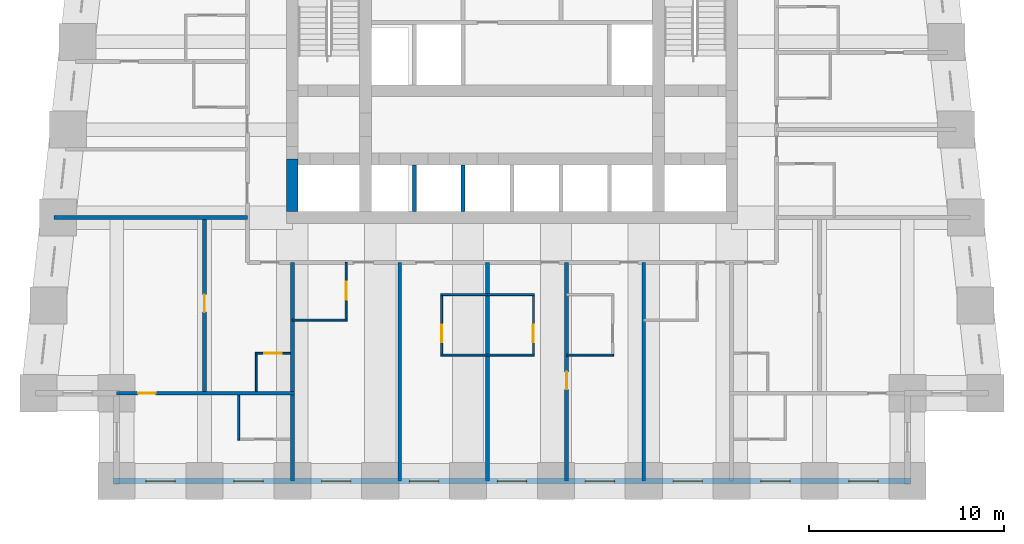
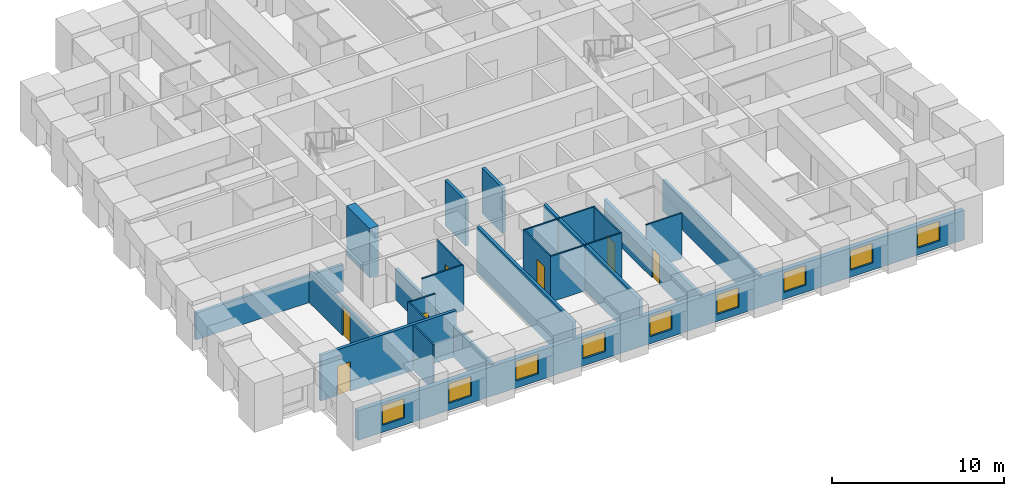
# One storey, part 2 of 8: 24 walls, 9 windows, 7 doors, 16 openings.
"""IFC4 building model written with IfcOpenShell, lengths in metres."""

from ifc_helpers import new_model, si_unit, direction, frame, frame_2d, origin, place, context, subcontext, project, spatial, rectangle, extrude, material, layer, layer_set, type_object, element, fill, save


model = new_model("IFC4")

# Units and contexts
model_context = context("Model", 3, precision=1e-05, world=origin(), true_north=direction((0.0, 1.0)))
body_context = subcontext(model_context, "Body", "Model", "MODEL_VIEW")
ifc_project = project(units=[si_unit("LENGTHUNIT", "METRE"), si_unit("AREAUNIT", "SQUARE_METRE"), si_unit("VOLUMEUNIT", "CUBIC_METRE"), si_unit("PLANEANGLEUNIT", "RADIAN"), si_unit("MASSUNIT", "GRAM", prefix="KILO")], contexts=[model_context])

# Site, building, storey
site_placement = place(None, origin())
site = spatial("IfcSite", under=ifc_project, at=site_placement, CompositionType="ELEMENT")
building_placement = place(site_placement, origin())
building = spatial("IfcBuilding", under=site, at=building_placement, Name="Kilele Tower Hotel", CompositionType="ELEMENT")
storey_placement = place(building_placement, frame((0.0, 0.0, 82.199951171875)))
storey = spatial("IfcBuildingStorey", under=building, at=storey_placement, Name="L20", CompositionType="ELEMENT", Elevation=82.199951171875)

# Wall
ifc_material_1 = material(Name="Moisture-resistant board")
ifc_layer_1 = layer(ifc_material_1, 0.10009765625)
ifc_layer_set_1 = layer_set([ifc_layer_1], Name="Moisture-resistant board")
wall_type_1 = type_object("IfcWallType", Name="Bathroom partition 100", PredefinedType="PLUMBINGWALL", material=ifc_layer_set_1)
wall_1_placement = place(storey_placement, frame((13.5, 8.25, 0.0), z_axis=(0.0, 0.0, 1.0), x_axis=(1.0, 0.0, 0.0)))
element("IfcWall", 1, at=wall_1_placement, inside=storey, type_object=wall_type_1, Name="Bathroom partition 100 L20", PredefinedType="PLUMBINGWALL", context=body_context, shape_type="SweptSolid", body=[
    extrude(rectangle(XDim=2.800048828125, YDim=0.10009765625, at=frame_2d((1.39990234375, 0.0))), origin(), (0.0, 0.0, 1.0), 3.25),
])

# Wall, opening, door
wall_2_placement = place(storey_placement, frame((16.25, 11.199951171875, 0.0), z_axis=(0.0, 0.0, 1.0), x_axis=(0.0, -1.0, 0.0)))
wall_2 = element("IfcWall", 2, at=wall_2_placement, inside=storey, type_object=wall_type_1, Name="Bathroom partition 100 L20", PredefinedType="PLUMBINGWALL", context=body_context, shape_type="SweptSolid", body=[
    extrude(rectangle(XDim=3.0, YDim=0.10009765625, at=frame_2d((1.5, 0.0))), origin(), (0.0, 0.0, 1.0), 3.25),
])
opening_1_placement = place(wall_2_placement, frame((1.0, 0.0, 0.0)))
opening_1 = element("IfcOpeningElement", 3, at=opening_1_placement, cuts=wall_2, Name="Opening D2A", PredefinedType="OPENING", context=body_context, shape_type="SweptSolid", body=[
    extrude(rectangle(XDim=0.89990234375, YDim=2.10009765625, at=frame_2d((0.449951171875, 1.050048828125))), frame((0.0, 0.06005859375, 0.0), z_axis=(0.0, -1.0, 0.0), x_axis=(1.0, 0.0, 0.0)), (0.0, 0.0, 1.0), 0.1201171875),
])
ifc_material_2 = material(Name="Timber door leaf in hardwood frame", Category="wood")
door_type_1 = type_object("IfcDoorType", Name="Bathroom door 900", OperationType="SINGLE_SWING_LEFT", PredefinedType="DOOR", material=ifc_material_2)
door_1_placement = place(opening_1_placement, origin())
door_1 = element("IfcDoor", 4, at=door_1_placement, inside=storey, type_object=door_type_1, Name="Bathroom door 2001B", OperationType="SINGLE_SWING_LEFT", OverallHeight=2.10009765625, OverallWidth=0.89990234375, PredefinedType="DOOR", context=body_context, shape_type="SweptSolid", body=[
    extrude(rectangle(XDim=0.89990234375, YDim=2.10009765625, at=frame_2d((0.449951171875, 1.050048828125))), frame((0.0, 0.02490234375, 0.0), z_axis=(0.0, -1.0, 0.0), x_axis=(1.0, 0.0, 0.0)), (0.0, 0.0, 1.0), 0.050048828125),
])
fill(opening_1, door_1)

# Walls
for number, where, z_axis, x_axis, name in (
    (5, (21.10009765625, 9.550048828125, 0.0), (0.0, 0.0, 1.0), (1.0, 0.0, 0.0), "Bathroom partition 100 L20"),
    (6, (21.10009765625, 6.449951171875, 0.0), (0.0, 0.0, 1.0), (1.0, 0.0, 0.0), "Bathroom partition 100 L20"),
):
    element("IfcWall", number, at=place(storey_placement, frame(where, z_axis=z_axis, x_axis=x_axis)), inside=storey, type_object=wall_type_1, Name=name, PredefinedType="PLUMBINGWALL", context=body_context, shape_type="SweptSolid", body=[
        extrude(rectangle(XDim=2.39990234375, YDim=0.10009765625, at=frame_2d((1.199951171875, 0.0))), origin(), (0.0, 0.0, 1.0), 3.25),
    ])

# Wall, opening, door
wall_3_placement = place(storey_placement, frame((21.14990234375, 9.60009765625, 0.0), z_axis=(0.0, 0.0, 1.0), x_axis=(0.0, -1.0, 0.0)))
wall_3 = element("IfcWall", 7, at=wall_3_placement, inside=storey, type_object=wall_type_1, Name="Bathroom partition 100 L20", PredefinedType="PLUMBINGWALL", context=body_context, shape_type="SweptSolid", body=[
    extrude(rectangle(XDim=3.2001953125, YDim=0.10009765625, at=frame_2d((1.60009765625, 0.0))), origin(), (0.0, 0.0, 1.0), 3.25),
])
opening_2_placement = place(wall_3_placement, frame((2.5, 0.0, 0.0), z_axis=(0.0, 0.0, 1.0), x_axis=(-1.0, 0.0, 0.0)))
opening_2 = element("IfcOpeningElement", 8, at=opening_2_placement, cuts=wall_3, Name="Opening D2A", PredefinedType="OPENING", context=body_context, shape_type="SweptSolid", body=[
    extrude(rectangle(XDim=0.89990234375, YDim=2.10009765625, at=frame_2d((0.449951171875, 1.050048828125))), frame((0.0, 0.06005859375, 0.0), z_axis=(0.0, -1.0, 0.0), x_axis=(1.0, 0.0, 0.0)), (0.0, 0.0, 1.0), 0.1201171875),
])
door_2_placement = place(opening_2_placement, origin())
door_2 = element("IfcDoor", 9, at=door_2_placement, inside=storey, type_object=door_type_1, Name="Bathroom door 2002B", OperationType="SINGLE_SWING_LEFT", OverallHeight=2.10009765625, OverallWidth=0.89990234375, PredefinedType="DOOR", context=body_context, shape_type="SweptSolid", body=[
    extrude(rectangle(XDim=0.89990234375, YDim=2.10009765625, at=frame_2d((0.449951171875, 1.050048828125))), frame((0.0, 0.02490234375, 0.0), z_axis=(0.0, -1.0, 0.0), x_axis=(1.0, 0.0, 0.0)), (0.0, 0.0, 1.0), 0.050048828125),
])
fill(opening_2, door_2)

# Walls
for number, where, z_axis, x_axis, name in (
    (10, (23.5, 9.550048828125, 0.0), (0.0, 0.0, 1.0), (1.0, 0.0, 0.0), "Bathroom partition 100 L20"),
    (11, (23.5, 6.449951171875, 0.0), (0.0, 0.0, 1.0), (1.0, 0.0, 0.0), "Bathroom partition 100 L20"),
):
    element("IfcWall", number, at=place(storey_placement, frame(where, z_axis=z_axis, x_axis=x_axis)), inside=storey, type_object=wall_type_1, Name=name, PredefinedType="PLUMBINGWALL", context=body_context, shape_type="SweptSolid", body=[
        extrude(rectangle(XDim=2.39990234375, YDim=0.10009765625, at=frame_2d((1.199951171875, 0.0))), origin(), (0.0, 0.0, 1.0), 3.25),
    ])

# Wall, opening, door
wall_4_placement = place(storey_placement, frame((25.85009765625, 9.60009765625, 0.0), z_axis=(0.0, 0.0, 1.0), x_axis=(0.0, -1.0, 0.0)))
wall_4 = element("IfcWall", 12, at=wall_4_placement, inside=storey, type_object=wall_type_1, Name="Bathroom partition 100 L20", PredefinedType="PLUMBINGWALL", context=body_context, shape_type="SweptSolid", body=[
    extrude(rectangle(XDim=3.2001953125, YDim=0.10009765625, at=frame_2d((1.60009765625, 0.0))), origin(), (0.0, 0.0, 1.0), 3.25),
])
opening_3_placement = place(wall_4_placement, frame((1.60009765625, 0.0, 0.0)))
opening_3 = element("IfcOpeningElement", 13, at=opening_3_placement, cuts=wall_4, Name="Opening D2A", PredefinedType="OPENING", context=body_context, shape_type="SweptSolid", body=[
    extrude(rectangle(XDim=0.89990234375, YDim=2.10009765625, at=frame_2d((0.449951171875, 1.050048828125))), frame((0.0, 0.06005859375, 0.0), z_axis=(0.0, -1.0, 0.0), x_axis=(1.0, 0.0, 0.0)), (0.0, 0.0, 1.0), 0.1201171875),
])
door_3_placement = place(opening_3_placement, origin())
door_3 = element("IfcDoor", 14, at=door_3_placement, inside=storey, type_object=door_type_1, Name="Bathroom door 2003B", OperationType="SINGLE_SWING_RIGHT", OverallHeight=2.10009765625, OverallWidth=0.89990234375, PredefinedType="DOOR", context=body_context, shape_type="SweptSolid", body=[
    extrude(rectangle(XDim=0.89990234375, YDim=2.10009765625, at=frame_2d((0.449951171875, 1.050048828125))), frame((0.0, 0.02490234375, 0.0), z_axis=(0.0, -1.0, 0.0), x_axis=(1.0, 0.0, 0.0)), (0.0, 0.0, 1.0), 0.050048828125),
])
fill(opening_3, door_3)

# Walls
wall_5_placement = place(storey_placement, frame((27.550048828125, 6.449951171875, 0.0), z_axis=(0.0, 0.0, 1.0), x_axis=(1.0, 0.0, 0.0)))
element("IfcWall", 15, at=wall_5_placement, inside=storey, type_object=wall_type_1, Name="Bathroom partition 100 L20", PredefinedType="PLUMBINGWALL", context=body_context, shape_type="SweptSolid", body=[
    extrude(rectangle(XDim=2.39990234375, YDim=0.10009765625, at=frame_2d((1.199951171875, 0.0))), origin(), (0.0, 0.0, 1.0), 3.25),
])
wall_6_placement = place(storey_placement, frame((11.64990234375, 4.60009765625, 0.0), z_axis=(0.0, 0.0, 1.0), x_axis=(0.0, 1.0, 0.0)))
element("IfcWall", 16, at=wall_6_placement, inside=storey, type_object=wall_type_1, Name="Bathroom partition 100 L20", PredefinedType="PLUMBINGWALL", context=body_context, shape_type="SweptSolid", body=[
    extrude(rectangle(XDim=2.0, YDim=0.10009765625, at=frame_2d((1.0, 0.0))), origin(), (0.0, 0.0, 1.0), 3.25),
])

# Wall, opening, door
wall_7_placement = place(storey_placement, frame((13.39990234375, 6.550048828125, 0.0), z_axis=(0.0, 0.0, 1.0), x_axis=(-1.0, 0.0, 0.0)))
wall_7 = element("IfcWall", 17, at=wall_7_placement, inside=storey, type_object=wall_type_1, Name="Bathroom partition 100 L20", PredefinedType="PLUMBINGWALL", context=body_context, shape_type="SweptSolid", body=[
    extrude(rectangle(XDim=1.7998046875, YDim=0.10009765625, at=frame_2d((0.89990234375, 0.0))), origin(), (0.0, 0.0, 1.0), 3.25),
])
opening_4_placement = place(wall_7_placement, frame((1.349853515625, 0.0, 0.0), z_axis=(0.0, 0.0, 1.0), x_axis=(-1.0, 0.0, 0.0)))
opening_4 = element("IfcOpeningElement", 18, at=opening_4_placement, cuts=wall_7, Name="Opening D2A", PredefinedType="OPENING", context=body_context, shape_type="SweptSolid", body=[
    extrude(rectangle(XDim=0.89990234375, YDim=2.10009765625, at=frame_2d((0.449951171875, 1.050048828125))), frame((0.0, 0.06005859375, 0.0), z_axis=(0.0, -1.0, 0.0), x_axis=(1.0, 0.0, 0.0)), (0.0, 0.0, 1.0), 0.1201171875),
])
door_4_placement = place(opening_4_placement, origin())
door_4 = element("IfcDoor", 19, at=door_4_placement, inside=storey, type_object=door_type_1, Name="Bathroom door 2017P", OperationType="SINGLE_SWING_RIGHT", OverallHeight=2.10009765625, OverallWidth=0.89990234375, PredefinedType="DOOR", context=body_context, shape_type="SweptSolid", body=[
    extrude(rectangle(XDim=0.89990234375, YDim=2.10009765625, at=frame_2d((0.449951171875, 1.050048828125))), frame((0.0, 0.02490234375, 0.0), z_axis=(0.0, -1.0, 0.0), x_axis=(1.0, 0.0, 0.0)), (0.0, 0.0, 1.0), 0.050048828125),
])
fill(opening_4, door_4)

# Walls
wall_8_placement = place(storey_placement, frame((10.75, 4.39990234375, 0.0), z_axis=(0.0, 0.0, 1.0), x_axis=(0.0, -1.0, 0.0)))
element("IfcWall", 20, at=wall_8_placement, inside=storey, type_object=wall_type_1, Name="Bathroom partition 100 L20", PredefinedType="PLUMBINGWALL", context=body_context, shape_type="SweptSolid", body=[
    extrude(rectangle(XDim=2.2998046875, YDim=0.10009765625, at=frame_2d((1.14990234375, 0.0))), origin(), (0.0, 0.0, 1.0), 3.25),
])
ifc_material_3 = material(Name="Concrete C60/75", Category="concrete")
ifc_layer_2 = layer(ifc_material_3, 0.60009765625)
ifc_layer_set_2 = layer_set([ifc_layer_2], Name="Concrete C60/75")
wall_type_2 = type_object("IfcWallType", Name="Core wall 600 C60/75", PredefinedType="SHEAR", material=ifc_layer_set_2)
wall_9_placement = place(storey_placement, frame((13.5, 16.5, 0.0), z_axis=(0.0, 0.0, 1.0), x_axis=(0.0, -1.0, 0.0)))
element("IfcWall", 21, at=wall_9_placement, inside=storey, type_object=wall_type_2, Name="Core wall W3 L20", PredefinedType="SHEAR", context=body_context, shape_type="SweptSolid", body=[
    extrude(rectangle(XDim=2.699951171875, YDim=0.60009765625, at=frame_2d((1.35009765625, 0.0))), origin(), (0.0, 0.0, 1.0), 3.5),
])

# Wall, opening, door
ifc_material_4 = material(Name="Blockwork, plastered both sides", Category="masonry")
ifc_layer_3 = layer(ifc_material_4, 0.199951171875)
ifc_layer_set_3 = layer_set([ifc_layer_3], Name="Blockwork, plastered both sides")
wall_type_3 = type_object("IfcWallType", Name="Partition wall 200", PredefinedType="PARTITIONING", material=ifc_layer_set_3)
wall_10_placement = place(storey_placement, frame((9.0, 4.60009765625, 0.0), z_axis=(0.0, 0.0, 1.0), x_axis=(0.0, 1.0, 0.0)))
wall_10 = element("IfcWall", 22, at=wall_10_placement, inside=storey, type_object=wall_type_3, Name="Partition wall 200 L20", PredefinedType="PARTITIONING", context=body_context, shape_type="SweptSolid", body=[
    extrude(rectangle(XDim=8.7998046875, YDim=0.199951171875, at=frame_2d((4.39990234375, 0.0))), origin(), (0.0, 0.0, 1.0), 2.199951171875),
])
opening_5_placement = place(wall_10_placement, frame((4.050048828125, 0.0, 0.0)))
opening_5 = element("IfcOpeningElement", 23, at=opening_5_placement, cuts=wall_10, Name="Opening D3", PredefinedType="OPENING", context=body_context, shape_type="SweptSolid", body=[
    extrude(rectangle(XDim=0.89990234375, YDim=2.10009765625, at=frame_2d((0.449951171875, 1.050048828125))), frame((0.0, 0.10986328125, 0.0), z_axis=(0.0, -1.0, 0.0), x_axis=(1.0, 0.0, 0.0)), (0.0, 0.0, 1.0), 0.219970703125),
])
ifc_material_5 = material(Name="Timber door leaf in hardwood frame", Category="wood")
door_type_2 = type_object("IfcDoorType", Name="Suite internal door 900", OperationType="SINGLE_SWING_LEFT", PredefinedType="DOOR", material=ifc_material_5)
door_5_placement = place(opening_5_placement, origin())
door_5 = element("IfcDoor", 24, at=door_5_placement, inside=storey, type_object=door_type_2, Name="Suite door 2018", OperationType="SINGLE_SWING_RIGHT", OverallHeight=2.10009765625, OverallWidth=0.89990234375, PredefinedType="DOOR", context=body_context, shape_type="SweptSolid", body=[
    extrude(rectangle(XDim=0.89990234375, YDim=2.10009765625, at=frame_2d((0.449951171875, 1.050048828125))), frame((0.0, 0.02490234375, 0.0), z_axis=(0.0, -1.0, 0.0), x_axis=(1.0, 0.0, 0.0)), (0.0, 0.0, 1.0), 0.050048828125),
])
fill(opening_5, door_5)

# Walls
ifc_material_6 = material(Name="Blockwork, plastered both sides", Category="masonry")
ifc_layer_4 = layer(ifc_material_6, 0.199951171875)
ifc_layer_set_4 = layer_set([ifc_layer_4], Name="Blockwork, plastered both sides")
wall_type_4 = type_object("IfcWallType", Name="Party wall 200", PredefinedType="PARTITIONING", material=ifc_layer_set_4)
for number, where, z_axis, x_axis, name in (
    (25, (19.0, 11.199951171875, 0.0), (0.0, 0.0, 1.0), (0.0, -1.0, 0.0), "Party wall 200 L20"),
    (26, (23.5, 11.199951171875, 0.0), (0.0, 0.0, 1.0), (0.0, -1.0, 0.0), "Party wall 200 L20"),
):
    element("IfcWall", number, at=place(storey_placement, frame(where, z_axis=z_axis, x_axis=x_axis)), inside=storey, type_object=wall_type_4, Name=name, PredefinedType="PARTITIONING", context=body_context, shape_type="SweptSolid", body=[
        extrude(rectangle(XDim=11.199951171875, YDim=0.199951171875, at=frame_2d((5.60009765625, 0.0))), origin(), (0.0, 0.0, 1.0), 3.25),
    ])

# Wall, opening, door
wall_11_placement = place(storey_placement, frame((27.550048828125, 11.199951171875, 0.0), z_axis=(0.0, 0.0, 1.0), x_axis=(0.0, -1.0, 0.0)))
wall_11 = element("IfcWall", 27, at=wall_11_placement, inside=storey, type_object=wall_type_4, Name="Party wall 200 L20", PredefinedType="PARTITIONING", context=body_context, shape_type="SweptSolid", body=[
    extrude(rectangle(XDim=11.199951171875, YDim=0.199951171875, at=frame_2d((5.60009765625, 0.0))), origin(), (0.0, 0.0, 1.0), 2.199951171875),
])
opening_6_placement = place(wall_11_placement, frame((5.60009765625, 0.0, 0.0)))
opening_6 = element("IfcOpeningElement", 28, at=opening_6_placement, cuts=wall_11, Name="Opening D3C", PredefinedType="OPENING", context=body_context, shape_type="SweptSolid", body=[
    extrude(rectangle(XDim=0.89990234375, YDim=2.10009765625, at=frame_2d((0.449951171875, 1.050048828125))), frame((0.0, 0.10986328125, 0.0), z_axis=(0.0, -1.0, 0.0), x_axis=(1.0, 0.0, 0.0)), (0.0, 0.0, 1.0), 0.219970703125),
])
ifc_material_7 = material(Name="Timber door leaf in hardwood frame", Category="wood")
door_type_3 = type_object("IfcDoorType", Name="Connecting door 900", OperationType="SINGLE_SWING_LEFT", PredefinedType="DOOR", material=ifc_material_7)
door_6_placement = place(opening_6_placement, origin())
door_6 = element("IfcDoor", 29, at=door_6_placement, inside=storey, type_object=door_type_3, Name="Connecting door 2004", OperationType="SINGLE_SWING_LEFT", OverallHeight=2.10009765625, OverallWidth=0.89990234375, PredefinedType="DOOR", context=body_context, shape_type="SweptSolid", body=[
    extrude(rectangle(XDim=0.89990234375, YDim=2.10009765625, at=frame_2d((0.449951171875, 1.050048828125))), frame((0.0, 0.02490234375, 0.0), z_axis=(0.0, -1.0, 0.0), x_axis=(1.0, 0.0, 0.0)), (0.0, 0.0, 1.0), 0.050048828125),
])
fill(opening_6, door_6)

# Walls
wall_12_placement = place(storey_placement, frame((31.5, 11.199951171875, 0.0), z_axis=(0.0, 0.0, 1.0), x_axis=(0.0, -1.0, 0.0)))
element("IfcWall", 30, at=wall_12_placement, inside=storey, type_object=wall_type_4, Name="Party wall 200 L20", PredefinedType="PARTITIONING", context=body_context, shape_type="SweptSolid", body=[
    extrude(rectangle(XDim=11.199951171875, YDim=0.199951171875, at=frame_2d((5.60009765625, 0.0))), origin(), (0.0, 0.0, 1.0), 2.199951171875),
])
wall_13_placement = place(storey_placement, frame((11.199951171875, 13.5, 0.0), z_axis=(0.0, 0.0, 1.0), x_axis=(-1.0, 0.0, 0.0)))
element("IfcWall", 31, at=wall_13_placement, inside=storey, type_object=wall_type_4, Name="Party wall 200 L20", PredefinedType="PARTITIONING", context=body_context, shape_type="SweptSolid", body=[
    extrude(rectangle(XDim=9.921142578125, YDim=0.199951171875, at=frame_2d((4.96044921875, 0.0))), origin(), (0.0, 0.0, 1.0), 1.900146484375),
])
wall_14_placement = place(storey_placement, frame((13.5, 11.199951171875, 0.0), z_axis=(0.0, 0.0, 1.0), x_axis=(0.0, -1.0, 0.0)))
element("IfcWall", 32, at=wall_14_placement, inside=storey, type_object=wall_type_4, Name="Party wall 200 L20", PredefinedType="PARTITIONING", context=body_context, shape_type="SweptSolid", body=[
    extrude(rectangle(XDim=11.199951171875, YDim=0.199951171875, at=frame_2d((5.60009765625, 0.0))), origin(), (0.0, 0.0, 1.0), 2.199951171875),
])

# Wall, opening, door
wall_15_placement = place(storey_placement, frame((13.60009765625, 4.5, 0.0), z_axis=(0.0, 0.0, 1.0), x_axis=(-1.0, 0.0, 0.0)))
wall_15 = element("IfcWall", 33, at=wall_15_placement, inside=storey, type_object=wall_type_4, Name="Party wall 200 L20", PredefinedType="PARTITIONING", context=body_context, shape_type="SweptSolid", body=[
    extrude(rectangle(XDim=9.10009765625, YDim=0.199951171875, at=frame_2d((4.550048828125, 0.0))), origin(), (0.0, 0.0, 1.0), 3.25),
])
opening_7_placement = place(wall_15_placement, frame((7.10009765625, 0.0, 0.0)))
opening_7 = element("IfcOpeningElement", 34, at=opening_7_placement, cuts=wall_15, Name="Opening D3", PredefinedType="OPENING", context=body_context, shape_type="SweptSolid", body=[
    extrude(rectangle(XDim=0.89990234375, YDim=2.10009765625, at=frame_2d((0.449951171875, 1.050048828125))), frame((0.0, 0.10986328125, 0.0), z_axis=(0.0, -1.0, 0.0), x_axis=(1.0, 0.0, 0.0)), (0.0, 0.0, 1.0), 0.219970703125),
])
door_7_placement = place(opening_7_placement, origin())
door_7 = element("IfcDoor", 35, at=door_7_placement, inside=storey, type_object=door_type_2, Name="Suite door 2019", OperationType="SINGLE_SWING_RIGHT", OverallHeight=2.10009765625, OverallWidth=0.89990234375, PredefinedType="DOOR", context=body_context, shape_type="SweptSolid", body=[
    extrude(rectangle(XDim=0.89990234375, YDim=2.10009765625, at=frame_2d((0.449951171875, 1.050048828125))), frame((0.0, 0.02490234375, 0.0), z_axis=(0.0, -1.0, 0.0), x_axis=(1.0, 0.0, 0.0)), (0.0, 0.0, 1.0), 0.050048828125),
])
fill(opening_7, door_7)

# Wall, openings, windows
ifc_material_8 = material(Name="Concrete C40/50 precast", Category="concrete")
ifc_layer_5 = layer(ifc_material_8, 0.260009765625, Name="Precast backing", Category="LoadBearing")
ifc_material_9 = material(Name="Reconstituted stone finish", Category="masonry")
ifc_layer_6 = layer(ifc_material_9, 0.0400390625, Name="Face mix", Category="Finish")
ifc_layer_set_5 = layer_set([ifc_layer_5, ifc_layer_6], Name="Precast concrete C40/50, reconstituted stone finish")
wall_type_5 = type_object("IfcWallType", Name="Precast stone facade wall 300", PredefinedType="STANDARD", material=ifc_layer_set_5)
wall_16_placement = place(storey_placement, frame((4.35009765625, 0.0, 0.0), z_axis=(0.0, 0.0, 1.0), x_axis=(1.0, 0.0, 0.0)))
wall_16 = element("IfcWall", 36, at=wall_16_placement, inside=storey, type_object=wall_type_5, Name="Facade wall L20 edge 3", PredefinedType="STANDARD", context=body_context, shape_type="SweptSolid", body=[
    extrude(rectangle(XDim=40.7998046875, YDim=0.300048828125, at=frame_2d((20.39990234375, 0.0))), origin(), (0.0, 0.0, 1.0), 2.10009765625),
])
opening_8_placement = place(wall_16_placement, frame((1.64990234375, 0.0, 0.5)))
opening_8 = element("IfcOpeningElement", 37, at=opening_8_placement, cuts=wall_16, Name="Opening W1", PredefinedType="OPENING", context=body_context, shape_type="SweptSolid", body=[
    extrude(rectangle(XDim=1.5, YDim=1.39990234375, at=frame_2d((0.75, 0.699951171875))), frame((0.0, 0.159912109375, 0.0), z_axis=(0.0, -1.0, 0.0), x_axis=(1.0, 0.0, 0.0)), (0.0, 0.0, 1.0), 0.320068359375),
])
opening_9_placement = place(wall_16_placement, frame((6.14990234375, 0.0, 0.5)))
opening_9 = element("IfcOpeningElement", 38, at=opening_9_placement, cuts=wall_16, Name="Opening W1", PredefinedType="OPENING", context=body_context, shape_type="SweptSolid", body=[
    extrude(rectangle(XDim=1.5, YDim=1.39990234375, at=frame_2d((0.75, 0.699951171875))), frame((0.0, 0.159912109375, 0.0), z_axis=(0.0, -1.0, 0.0), x_axis=(1.0, 0.0, 0.0)), (0.0, 0.0, 1.0), 0.320068359375),
])
opening_10_placement = place(wall_16_placement, frame((10.64990234375, 0.0, 0.5)))
opening_10 = element("IfcOpeningElement", 39, at=opening_10_placement, cuts=wall_16, Name="Opening W1", PredefinedType="OPENING", context=body_context, shape_type="SweptSolid", body=[
    extrude(rectangle(XDim=1.5, YDim=1.39990234375, at=frame_2d((0.75, 0.699951171875))), frame((0.0, 0.159912109375, 0.0), z_axis=(0.0, -1.0, 0.0), x_axis=(1.0, 0.0, 0.0)), (0.0, 0.0, 1.0), 0.320068359375),
])
opening_11_placement = place(wall_16_placement, frame((15.14990234375, 0.0, 0.5)))
opening_11 = element("IfcOpeningElement", 40, at=opening_11_placement, cuts=wall_16, Name="Opening W1", PredefinedType="OPENING", context=body_context, shape_type="SweptSolid", body=[
    extrude(rectangle(XDim=1.5, YDim=1.39990234375, at=frame_2d((0.75, 0.699951171875))), frame((0.0, 0.159912109375, 0.0), z_axis=(0.0, -1.0, 0.0), x_axis=(1.0, 0.0, 0.0)), (0.0, 0.0, 1.0), 0.320068359375),
])
opening_12_placement = place(wall_16_placement, frame((19.64990234375, 0.0, 0.5)))
opening_12 = element("IfcOpeningElement", 41, at=opening_12_placement, cuts=wall_16, Name="Opening W1", PredefinedType="OPENING", context=body_context, shape_type="SweptSolid", body=[
    extrude(rectangle(XDim=1.5, YDim=1.39990234375, at=frame_2d((0.75, 0.699951171875))), frame((0.0, 0.159912109375, 0.0), z_axis=(0.0, -1.0, 0.0), x_axis=(1.0, 0.0, 0.0)), (0.0, 0.0, 1.0), 0.320068359375),
])
opening_13_placement = place(wall_16_placement, frame((24.14990234375, 0.0, 0.5)))
opening_13 = element("IfcOpeningElement", 42, at=opening_13_placement, cuts=wall_16, Name="Opening W1", PredefinedType="OPENING", context=body_context, shape_type="SweptSolid", body=[
    extrude(rectangle(XDim=1.5, YDim=1.39990234375, at=frame_2d((0.75, 0.699951171875))), frame((0.0, 0.159912109375, 0.0), z_axis=(0.0, -1.0, 0.0), x_axis=(1.0, 0.0, 0.0)), (0.0, 0.0, 1.0), 0.320068359375),
])
opening_14_placement = place(wall_16_placement, frame((28.64990234375, 0.0, 0.5)))
opening_14 = element("IfcOpeningElement", 43, at=opening_14_placement, cuts=wall_16, Name="Opening W1", PredefinedType="OPENING", context=body_context, shape_type="SweptSolid", body=[
    extrude(rectangle(XDim=1.5, YDim=1.39990234375, at=frame_2d((0.75, 0.699951171875))), frame((0.0, 0.159912109375, 0.0), z_axis=(0.0, -1.0, 0.0), x_axis=(1.0, 0.0, 0.0)), (0.0, 0.0, 1.0), 0.320068359375),
])
opening_15_placement = place(wall_16_placement, frame((33.14990234375, 0.0, 0.5)))
opening_15 = element("IfcOpeningElement", 44, at=opening_15_placement, cuts=wall_16, Name="Opening W1", PredefinedType="OPENING", context=body_context, shape_type="SweptSolid", body=[
    extrude(rectangle(XDim=1.5, YDim=1.39990234375, at=frame_2d((0.75, 0.699951171875))), frame((0.0, 0.159912109375, 0.0), z_axis=(0.0, -1.0, 0.0), x_axis=(1.0, 0.0, 0.0)), (0.0, 0.0, 1.0), 0.320068359375),
])
opening_16_placement = place(wall_16_placement, frame((37.64990234375, 0.0, 0.5)))
opening_16 = element("IfcOpeningElement", 45, at=opening_16_placement, cuts=wall_16, Name="Opening W1", PredefinedType="OPENING", context=body_context, shape_type="SweptSolid", body=[
    extrude(rectangle(XDim=1.5, YDim=1.39990234375, at=frame_2d((0.75, 0.699951171875))), frame((0.0, 0.159912109375, 0.0), z_axis=(0.0, -1.0, 0.0), x_axis=(1.0, 0.0, 0.0)), (0.0, 0.0, 1.0), 0.320068359375),
])
ifc_material_10 = material(Name="Aluminium frame, clear double glazing", Category="aluminium")
window_type = type_object("IfcWindowType", Name="Window W1 1500 x 1400", PartitioningType="SINGLE_PANEL", PredefinedType="WINDOW", material=ifc_material_10)
window_1_placement = place(opening_8_placement, origin())
window_1 = element("IfcWindow", 46, at=window_1_placement, inside=storey, type_object=window_type, Name="Window L20", OverallHeight=1.39990234375, OverallWidth=1.5, PartitioningType="SINGLE_PANEL", PredefinedType="WINDOW", context=body_context, shape_type="SweptSolid", body=[
    extrude(rectangle(XDim=1.5, YDim=1.39990234375, at=frame_2d((0.75, 0.699951171875))), frame((0.0, 0.030029296875, 0.0), z_axis=(0.0, -1.0, 0.0), x_axis=(1.0, 0.0, 0.0)), (0.0, 0.0, 1.0), 0.06005859375),
])
fill(opening_8, window_1)
window_2_placement = place(opening_9_placement, origin())
window_2 = element("IfcWindow", 47, at=window_2_placement, inside=storey, type_object=window_type, Name="Window L20", OverallHeight=1.39990234375, OverallWidth=1.5, PartitioningType="SINGLE_PANEL", PredefinedType="WINDOW", context=body_context, shape_type="SweptSolid", body=[
    extrude(rectangle(XDim=1.5, YDim=1.39990234375, at=frame_2d((0.75, 0.699951171875))), frame((0.0, 0.030029296875, 0.0), z_axis=(0.0, -1.0, 0.0), x_axis=(1.0, 0.0, 0.0)), (0.0, 0.0, 1.0), 0.06005859375),
])
fill(opening_9, window_2)
window_3_placement = place(opening_10_placement, origin())
window_3 = element("IfcWindow", 48, at=window_3_placement, inside=storey, type_object=window_type, Name="Window L20", OverallHeight=1.39990234375, OverallWidth=1.5, PartitioningType="SINGLE_PANEL", PredefinedType="WINDOW", context=body_context, shape_type="SweptSolid", body=[
    extrude(rectangle(XDim=1.5, YDim=1.39990234375, at=frame_2d((0.75, 0.699951171875))), frame((0.0, 0.030029296875, 0.0), z_axis=(0.0, -1.0, 0.0), x_axis=(1.0, 0.0, 0.0)), (0.0, 0.0, 1.0), 0.06005859375),
])
fill(opening_10, window_3)
window_4_placement = place(opening_11_placement, origin())
window_4 = element("IfcWindow", 49, at=window_4_placement, inside=storey, type_object=window_type, Name="Window L20", OverallHeight=1.39990234375, OverallWidth=1.5, PartitioningType="SINGLE_PANEL", PredefinedType="WINDOW", context=body_context, shape_type="SweptSolid", body=[
    extrude(rectangle(XDim=1.5, YDim=1.39990234375, at=frame_2d((0.75, 0.699951171875))), frame((0.0, 0.030029296875, 0.0), z_axis=(0.0, -1.0, 0.0), x_axis=(1.0, 0.0, 0.0)), (0.0, 0.0, 1.0), 0.06005859375),
])
fill(opening_11, window_4)
window_5_placement = place(opening_12_placement, origin())
window_5 = element("IfcWindow", 50, at=window_5_placement, inside=storey, type_object=window_type, Name="Window L20", OverallHeight=1.39990234375, OverallWidth=1.5, PartitioningType="SINGLE_PANEL", PredefinedType="WINDOW", context=body_context, shape_type="SweptSolid", body=[
    extrude(rectangle(XDim=1.5, YDim=1.39990234375, at=frame_2d((0.75, 0.699951171875))), frame((0.0, 0.030029296875, 0.0), z_axis=(0.0, -1.0, 0.0), x_axis=(1.0, 0.0, 0.0)), (0.0, 0.0, 1.0), 0.06005859375),
])
fill(opening_12, window_5)
window_6_placement = place(opening_13_placement, origin())
window_6 = element("IfcWindow", 51, at=window_6_placement, inside=storey, type_object=window_type, Name="Window L20", OverallHeight=1.39990234375, OverallWidth=1.5, PartitioningType="SINGLE_PANEL", PredefinedType="WINDOW", context=body_context, shape_type="SweptSolid", body=[
    extrude(rectangle(XDim=1.5, YDim=1.39990234375, at=frame_2d((0.75, 0.699951171875))), frame((0.0, 0.030029296875, 0.0), z_axis=(0.0, -1.0, 0.0), x_axis=(1.0, 0.0, 0.0)), (0.0, 0.0, 1.0), 0.06005859375),
])
fill(opening_13, window_6)
window_7_placement = place(opening_14_placement, origin())
window_7 = element("IfcWindow", 52, at=window_7_placement, inside=storey, type_object=window_type, Name="Window L20", OverallHeight=1.39990234375, OverallWidth=1.5, PartitioningType="SINGLE_PANEL", PredefinedType="WINDOW", context=body_context, shape_type="SweptSolid", body=[
    extrude(rectangle(XDim=1.5, YDim=1.39990234375, at=frame_2d((0.75, 0.699951171875))), frame((0.0, 0.030029296875, 0.0), z_axis=(0.0, -1.0, 0.0), x_axis=(1.0, 0.0, 0.0)), (0.0, 0.0, 1.0), 0.06005859375),
])
fill(opening_14, window_7)
window_8_placement = place(opening_15_placement, origin())
window_8 = element("IfcWindow", 53, at=window_8_placement, inside=storey, type_object=window_type, Name="Window L20", OverallHeight=1.39990234375, OverallWidth=1.5, PartitioningType="SINGLE_PANEL", PredefinedType="WINDOW", context=body_context, shape_type="SweptSolid", body=[
    extrude(rectangle(XDim=1.5, YDim=1.39990234375, at=frame_2d((0.75, 0.699951171875))), frame((0.0, 0.030029296875, 0.0), z_axis=(0.0, -1.0, 0.0), x_axis=(1.0, 0.0, 0.0)), (0.0, 0.0, 1.0), 0.06005859375),
])
fill(opening_15, window_8)
window_9_placement = place(opening_16_placement, origin())
window_9 = element("IfcWindow", 54, at=window_9_placement, inside=storey, type_object=window_type, Name="Window L20", OverallHeight=1.39990234375, OverallWidth=1.5, PartitioningType="SINGLE_PANEL", PredefinedType="WINDOW", context=body_context, shape_type="SweptSolid", body=[
    extrude(rectangle(XDim=1.5, YDim=1.39990234375, at=frame_2d((0.75, 0.699951171875))), frame((0.0, 0.030029296875, 0.0), z_axis=(0.0, -1.0, 0.0), x_axis=(1.0, 0.0, 0.0)), (0.0, 0.0, 1.0), 0.06005859375),
])
fill(opening_16, window_9)

# Walls
ifc_material_11 = material(Name="Blockwork, fire-rated", Category="masonry")
ifc_layer_7 = layer(ifc_material_11, 0.199951171875)
ifc_layer_set_6 = layer_set([ifc_layer_7], Name="Blockwork, fire-rated")
wall_type_6 = type_object("IfcWallType", Name="Shaft wall 200", PredefinedType="PARTITIONING", material=ifc_layer_set_6)
for number, where, z_axis, x_axis, name in (
    (55, (19.75, 13.800048828125, 0.0), (0.0, 0.0, 1.0), (0.0, 1.0, 0.0), "Shaft wall 200 L20"),
    (56, (22.25, 13.800048828125, 0.0), (0.0, 0.0, 1.0), (0.0, 1.0, 0.0), "Shaft wall 200 L20"),
):
    element("IfcWall", number, at=place(storey_placement, frame(where, z_axis=z_axis, x_axis=x_axis)), inside=storey, type_object=wall_type_6, Name=name, PredefinedType="PARTITIONING", context=body_context, shape_type="SweptSolid", body=[
        extrude(rectangle(XDim=2.39990234375, YDim=0.199951171875, at=frame_2d((1.199951171875, 0.0))), origin(), (0.0, 0.0, 1.0), 3.25),
    ])

save(model, "model.ifc")
